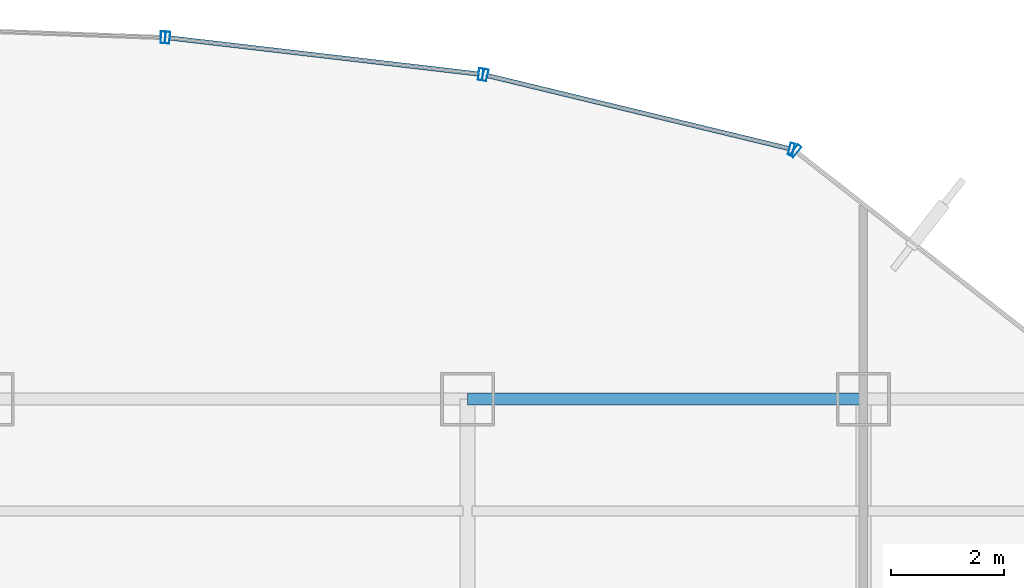
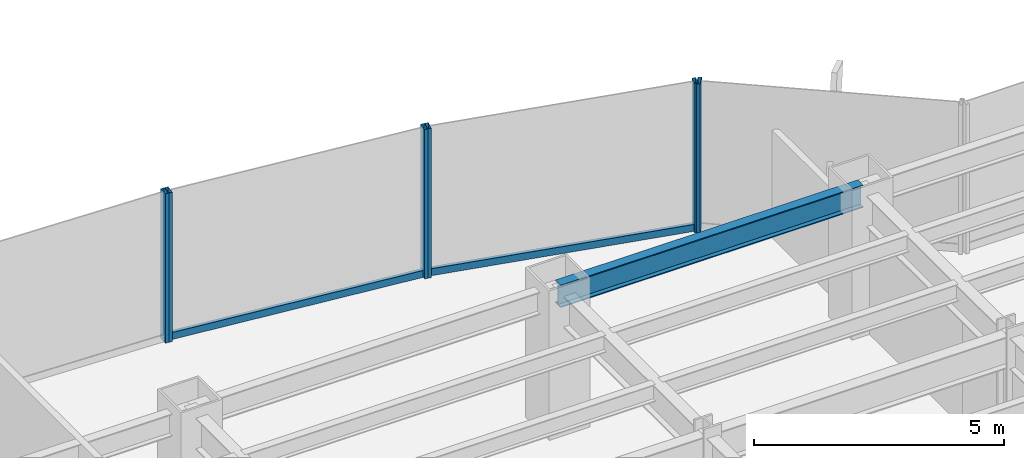
# One storey, part 15 of 23: 8 members, 1 beam, 4 elements without a shape of their own.
"""IFC4 building model written with IfcOpenShell, lengths in metres."""

from ifc_helpers import new_model, si_unit, derived_unit, direction, frame, origin, origin_2d, place, context, subcontext, project, spatial, hollow_rectangle, i_section, extrude, source, transform, mapped, material, material_profile, profile_set, type_object, element, aggregate, save


model = new_model("IFC4")

# Units and contexts
model_context = context("Model", 3, precision=1e-05, world=origin(), true_north=direction((0.0, 1.0)))
body_context = subcontext(model_context, "Body", "Model", "MODEL_VIEW")
ifc_project = project(units=[si_unit("LENGTHUNIT", "METRE"), si_unit("AREAUNIT", "SQUARE_METRE"), si_unit("VOLUMEUNIT", "CUBIC_METRE"), si_unit("PLANEANGLEUNIT", "RADIAN"), si_unit("MASSUNIT", "GRAM", prefix="KILO"), derived_unit("THERMALTRANSMITTANCEUNIT", [(si_unit("POWERUNIT", "WATT"), 1), (si_unit("LENGTHUNIT", "METRE"), -2), (si_unit("THERMODYNAMICTEMPERATUREUNIT", "KELVIN"), -1)])], contexts=[model_context])

# Site, building, storey
site_placement = place(None, origin())
site = spatial("IfcSite", under=ifc_project, at=site_placement, CompositionType="ELEMENT")
building_placement = place(site_placement, origin())
building = spatial("IfcBuilding", under=site, at=building_placement, Name="Skarnbrae Concourse Arena and Tower", CompositionType="ELEMENT")
storey_placement = place(building_placement, frame((0.0, 0.0, 43.449951171875)))
storey = spatial("IfcBuildingStorey", under=building, at=storey_placement, Name="L09", CompositionType="ELEMENT", Elevation=43.449951171875)

# Beam
ifc_material_1 = material(Name="Steel CSA G40.21 350W", Category="steel")
ifc_material_profile_1 = material_profile(ifc_material_1, i_section(OverallWidth=0.214111328125, OverallDepth=0.549072265625, WebThickness=0.0146484375, FlangeThickness=0.023681640625, at=origin_2d()), Name="W530X138")
ifc_profile_set_1 = profile_set([ifc_material_profile_1], Name="Steel CSA G40.21 350W")
beam_type = type_object("IfcBeamType", Name="BM-SPAN-W530X138", PredefinedType="SPANDREL", material=ifc_profile_set_1)
shared_shape_1 = source(origin(), body_context, "Body", "SweptSolid", [
    extrude(i_section(OverallWidth=0.214111328125, OverallDepth=0.549072265625, WebThickness=0.0146484375, FlangeThickness=0.023681640625, at=origin_2d()), origin(), (0.0, 0.0, 1.0), 7.0),
])
beam_placement = place(storey_placement, frame((42.0, 40.39990234375, 3.12548828125), z_axis=(1.0, 0.0, 0.0), x_axis=(0.0, 1.0, 0.0)))
element("IfcBeam", 1, at=beam_placement, inside=storey, type_object=beam_type, Name="L09 Perimeter spandrel Y40.4-6", PredefinedType="SPANDREL", context=body_context, shape_type="MappedRepresentation", body=[
    mapped(shared_shape_1, transform((0.0, 0.0, 0.0))),
])

# Curtain wall, member
ifc_material_2 = material(Name="Bronze anodised aluminium 6063-T6", Category="aluminium")
curtain_wall_type_1 = type_object("IfcCurtainWallType", Name="CW-SYS-02-LOWZONE", PredefinedType="USERDEFINED", material=ifc_material_2)
curtain_wall_1_placement = place(storey_placement, origin())
curtain_wall_1 = element("IfcCurtainWall", 2, at=curtain_wall_1_placement, inside=storey, type_object=curtain_wall_type_1, Name="L09 Unitised curtain wall CW-L09-E08", ObjectType="UNITISED CURTAIN WALL", PredefinedType="USERDEFINED")
ifc_material_profile_2 = material_profile(ifc_material_2, hollow_rectangle(XDim=0.080078125, YDim=0.239990234375, WallThickness=0.0048828125, at=origin_2d()), Name="ALU-MULL-80X240")
ifc_profile_set_2 = profile_set([ifc_material_profile_2], Name="Bronze anodised aluminium 6063-T6")
member_type_1 = type_object("IfcMemberType", Name="CWM-CW-02", PredefinedType="MULLION", material=ifc_profile_set_2)
shared_shape_2 = source(origin(), body_context, "Body", "SweptSolid", [
    extrude(hollow_rectangle(XDim=0.080078125, YDim=0.239990234375, WallThickness=0.0048828125, at=origin_2d()), origin(), (0.0, 0.0, 1.0), 3.650146484375),
])
member_1_placement = place(storey_placement, frame((47.7978515625, 44.787109375, 0.0), z_axis=(0.0, 0.0, 1.0), x_axis=(-0.787651726054, 0.616120733658, 0.0)))
member_1 = element("IfcMember", 3, at=member_1_placement, type_object=member_type_1, Name="CW-L09-E08 Mullion 2", PredefinedType="MULLION", context=body_context, shape_type="MappedRepresentation", body=[
    mapped(shared_shape_2, transform((0.0, 0.0, 0.0))),
])
aggregate(curtain_wall_1, [member_1])

# Curtain wall, members
curtain_wall_type_2 = type_object("IfcCurtainWallType", Name="CW-SYS-03-PORTAL", PredefinedType="USERDEFINED", material=ifc_material_2)
curtain_wall_2_placement = place(storey_placement, origin())
curtain_wall_2 = element("IfcCurtainWall", 4, at=curtain_wall_2_placement, inside=storey, type_object=curtain_wall_type_2, Name="L09 Unitised curtain wall CW-L09-E09", ObjectType="UNITISED CURTAIN WALL", PredefinedType="USERDEFINED")
ifc_material_profile_3 = material_profile(ifc_material_2, hollow_rectangle(XDim=0.080078125, YDim=0.2099609375, WallThickness=0.00439453125, at=origin_2d()), Name="ALU-MULL-80X210")
ifc_profile_set_3 = profile_set([ifc_material_profile_3], Name="Bronze anodised aluminium 6063-T6")
member_type_2 = type_object("IfcMemberType", Name="CWM-CW-03", PredefinedType="MULLION", material=ifc_profile_set_3)
shared_shape_3 = source(origin(), body_context, "Body", "SweptSolid", [
    extrude(hollow_rectangle(XDim=0.080078125, YDim=0.2099609375, WallThickness=0.00439453125, at=origin_2d()), origin(), (0.0, 0.0, 1.0), 3.650146484375),
])
member_2_placement = place(storey_placement, frame((47.727294921875, 44.821044921875, 0.0), z_axis=(0.0, 0.0, 1.0), x_axis=(-0.971973721569, 0.235089524607, 0.0)))
member_2 = element("IfcMember", 5, at=member_2_placement, type_object=member_type_2, Name="CW-L09-E09 Mullion 1", PredefinedType="MULLION", context=body_context, shape_type="MappedRepresentation", body=[
    mapped(shared_shape_3, transform((0.0, 0.0, 0.0))),
])
member_3_placement = place(storey_placement, frame((42.311279296875, 46.131103515625, 0.0), z_axis=(0.0, 0.0, 1.0), x_axis=(-0.971973721569, 0.235089524607, 0.0)))
member_3 = element("IfcMember", 6, at=member_3_placement, type_object=member_type_2, Name="CW-L09-E09 Mullion 2", PredefinedType="MULLION", context=body_context, shape_type="MappedRepresentation", body=[
    mapped(shared_shape_3, transform((0.0, 0.0, 0.0))),
])

curtain_wall_3_placement = place(storey_placement, origin())
curtain_wall_3 = element("IfcCurtainWall", 7, at=curtain_wall_3_placement, inside=storey, type_object=curtain_wall_type_2, Name="L09 Unitised curtain wall CW-L09-E10", ObjectType="UNITISED CURTAIN WALL", PredefinedType="USERDEFINED")
member_4_placement = place(storey_placement, frame((42.232666015625, 46.14501953125, 0.0), z_axis=(0.0, 0.0, 1.0), x_axis=(-0.99324457001, 0.116039752435, 0.0)))
member_4 = element("IfcMember", 8, at=member_4_placement, type_object=member_type_2, Name="CW-L09-E10 Mullion 1", PredefinedType="MULLION", context=body_context, shape_type="MappedRepresentation", body=[
    mapped(shared_shape_3, transform((0.0, 0.0, 0.0))),
])
member_5_placement = place(storey_placement, frame((36.693603515625, 46.792236328125, 0.0), z_axis=(0.0, 0.0, 1.0), x_axis=(-0.99324457001, 0.116039752435, 0.0)))
member_5 = element("IfcMember", 9, at=member_5_placement, type_object=member_type_2, Name="CW-L09-E10 Mullion 2", PredefinedType="MULLION", context=body_context, shape_type="MappedRepresentation", body=[
    mapped(shared_shape_3, transform((0.0, 0.0, 0.0))),
])

# Curtain wall, member
curtain_wall_4_placement = place(storey_placement, origin())
curtain_wall_4 = element("IfcCurtainWall", 10, at=curtain_wall_4_placement, inside=storey, type_object=curtain_wall_type_2, Name="L09 Unitised curtain wall CW-L09-E11", ObjectType="UNITISED CURTAIN WALL", PredefinedType="USERDEFINED")
member_6_placement = place(storey_placement, frame((36.614013671875, 46.79833984375, 0.0), z_axis=(0.0, 0.0, 1.0), x_axis=(-0.999355425188, 0.035898943527, 0.0)))
member_6 = element("IfcMember", 11, at=member_6_placement, type_object=member_type_2, Name="CW-L09-E11 Mullion 1", PredefinedType="MULLION", context=body_context, shape_type="MappedRepresentation", body=[
    mapped(shared_shape_3, transform((0.0, 0.0, 0.0))),
])
aggregate(curtain_wall_4, [member_6])

# Member
ifc_material_profile_4 = material_profile(ifc_material_2, hollow_rectangle(XDim=0.080078125, YDim=0.169921875, WallThickness=0.00439453125, at=origin_2d()), Name="ALU-TRAN-80X170")
ifc_profile_set_4 = profile_set([ifc_material_profile_4], Name="Bronze anodised aluminium 6063-T6")
member_type_3 = type_object("IfcMemberType", Name="CWT-CW-03", PredefinedType="USERDEFINED", material=ifc_profile_set_4)
shared_shape_4 = source(origin(), body_context, "Body", "SweptSolid", [
    extrude(hollow_rectangle(XDim=0.080078125, YDim=0.169921875, WallThickness=0.00439453125, at=origin_2d()), origin(), (0.0, 0.0, 1.0), 5.4921875),
])
member_7_placement = place(storey_placement, frame((47.6884765625, 44.83056640625, 0.0849609375), z_axis=(-0.971980728004, 0.235060554728, 0.0), x_axis=(-0.235060554728, -0.971980728004, 0.0)))
member_7 = element("IfcMember", 12, at=member_7_placement, type_object=member_type_3, Name="CW-L09-E09 Transom 1", ObjectType="TRANSOM", PredefinedType="USERDEFINED", context=body_context, shape_type="MappedRepresentation", body=[
    mapped(shared_shape_4, transform((0.0, 0.0, 0.0))),
])

aggregate(curtain_wall_2, [member_2, member_3, member_7])

shared_shape_5 = source(origin(), body_context, "Body", "SweptSolid", [
    extrude(hollow_rectangle(XDim=0.080078125, YDim=0.169921875, WallThickness=0.00439453125, at=origin_2d()), origin(), (0.0, 0.0, 1.0), 5.49658203125),
])
member_8_placement = place(storey_placement, frame((42.19287109375, 46.14990234375, 0.0849609375), z_axis=(-0.993247281455, 0.116016541417, 0.0), x_axis=(-0.116016541417, -0.993247281455, 0.0)))
member_8 = element("IfcMember", 13, at=member_8_placement, type_object=member_type_3, Name="CW-L09-E10 Transom 1", ObjectType="TRANSOM", PredefinedType="USERDEFINED", context=body_context, shape_type="MappedRepresentation", body=[
    mapped(shared_shape_5, transform((0.0, 0.0, 0.0))),
])

aggregate(curtain_wall_3, [member_4, member_5, member_8])

save(model, "model.ifc")
